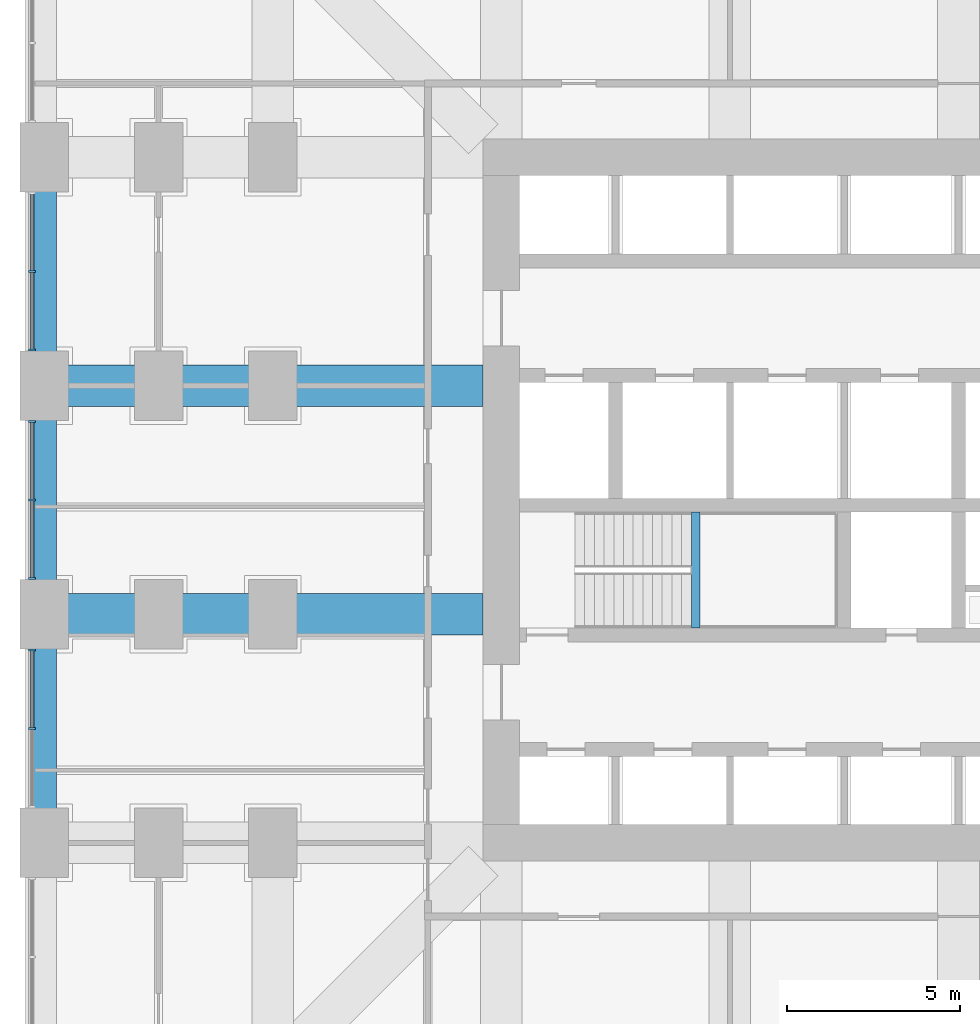
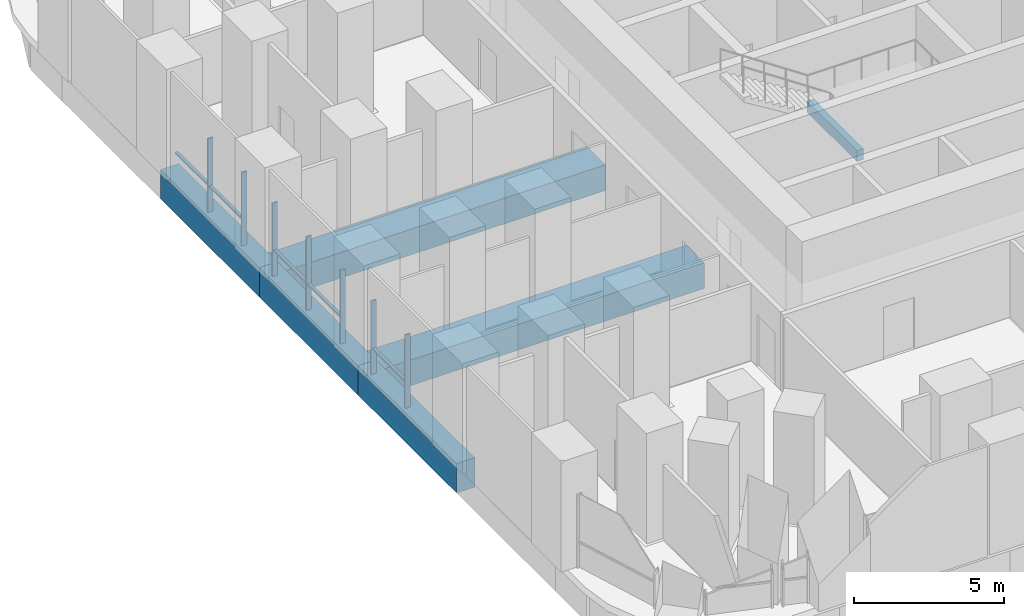
# One storey, part 3 of 17: 12 members, 6 beams, 3 elements without a shape of their own.
"""IFC4 building model written with IfcOpenShell, lengths in metres."""

import ifcopenshell
import ifcopenshell.guid

model = None  # the IFC model being written
_history = None  # IfcOwnerHistory: only IFC2X3 demands one
_inside = {}  # id of a spatial element -> (the spatial element, [elements in it])
_under = {}  # id of a project, library or spatial element -> (it, [spatial elements below it])
_declared = {}  # id of a project -> (the project, [libraries it declares])
_typed = {}  # id of a type object -> (the type object, [elements of that type])
_made_of = {}  # id of a material, layer set ... -> (it, [elements and type objects made of it])


def new_model(schema):
    """Start an empty IFC model of exactly this schema.

    Asked for "IFC4X3", IfcOpenShell would pick the latest addendum, in which some entities
    have other attributes; the version numbers below select the first issue.
    IFC2X3 requires an IfcOwnerHistory on every rooted entity: one is made here for all.
    """
    global model, _history
    if schema == "IFC4X3":
        model = ifcopenshell.file(schema_version=(4, 3, 0, 0))
    else:
        model = ifcopenshell.file(schema=schema)
    _inside.clear()
    _under.clear()
    _declared.clear()
    _typed.clear()
    _made_of.clear()
    _history = None
    if model.schema == "IFC2X3":
        org = make("IfcOrganization", Name="unknown")
        user = make(
            "IfcPersonAndOrganization",
            ThePerson=make("IfcPerson", FamilyName="unknown"),
            TheOrganization=org,
        )
        app = make(
            "IfcApplication",
            ApplicationDeveloper=org,
            Version="unknown",
            ApplicationFullName="unknown",
            ApplicationIdentifier="unknown",
        )
        _history = make(
            "IfcOwnerHistory",
            OwningUser=user,
            OwningApplication=app,
            ChangeAction="ADDED",
            CreationDate=0,
        )
    return model


def make(cls, **values):
    """One entity of the class cls with the attributes given. An attribute that is None is left unset."""
    return model.create_entity(
        cls, **{name: value for name, value in values.items() if value is not None}
    )


def rooted(cls, **values):
    """An entity with a GlobalId (a new one), such as an element, a storey or a relation."""
    return make(cls, GlobalId=ifcopenshell.guid.new(), OwnerHistory=_history, **values)


def si_unit(unit_type, name, prefix=None):
    """IfcSIUnit, for example si_unit("LENGTHUNIT", "METRE", prefix="MILLI")."""
    return make("IfcSIUnit", UnitType=unit_type, Prefix=prefix, Name=name)


def assignment(units):
    """IfcUnitAssignment: the units of a project."""
    return None if units is None else make("IfcUnitAssignment", Units=units)


def point(xyz):
    """IfcCartesianPoint."""
    return None if xyz is None else make("IfcCartesianPoint", Coordinates=xyz)


def direction(xyz):
    """IfcDirection."""
    return None if xyz is None else make("IfcDirection", DirectionRatios=xyz)


def frame(location, z_axis=None, x_axis=None):
    """IfcAxis2Placement3D, a coordinate frame: its origin and axes. An axis left out is left unset."""
    return make(
        "IfcAxis2Placement3D",
        Location=point(location),
        Axis=direction(z_axis),
        RefDirection=direction(x_axis),
    )


def frame_2d(location, x_axis=None):
    """IfcAxis2Placement2D, a coordinate frame in the plane: its origin and x axis."""
    return make(
        "IfcAxis2Placement2D", Location=point(location), RefDirection=direction(x_axis)
    )


def origin():
    """The frame at (0, 0, 0) with its axes left unset."""
    return frame((0.0, 0.0, 0.0))


def origin_2d():
    """The frame at (0, 0) in the plane with its x axis left unset."""
    return frame_2d((0.0, 0.0))


def place(relative_to, where):
    """IfcLocalPlacement: puts the frame where relative to a parent placement (None: the world)."""
    return make(
        "IfcLocalPlacement", PlacementRelTo=relative_to, RelativePlacement=where
    )


def context(
    kind, dimensions, precision=None, world=None, true_north=None, identifier=None
):
    """IfcGeometricRepresentationContext, for example the 3D "Model" context."""
    return make(
        "IfcGeometricRepresentationContext",
        ContextIdentifier=identifier,
        ContextType=kind,
        CoordinateSpaceDimension=dimensions,
        Precision=precision,
        WorldCoordinateSystem=world,
        TrueNorth=true_north,
    )


def subcontext(parent, identifier, kind, view, scale=None):
    """IfcGeometricRepresentationSubContext, for example "Body" below "Model"."""
    return make(
        "IfcGeometricRepresentationSubContext",
        ContextIdentifier=identifier,
        ContextType=kind,
        ParentContext=parent,
        TargetScale=scale,
        TargetView=view,
    )


def project(units=None, contexts=None):
    """IfcProject with its units and contexts."""
    return rooted(
        "IfcProject",
        Name="project",
        RepresentationContexts=contexts,
        UnitsInContext=assignment(units),
    )


def spatial(cls, under=None, at=None, **own):
    """A site, building, storey or space (cls), placed at a placement, below another one or the project."""
    s = rooted(cls, ObjectPlacement=at, **own)
    if under is not None:
        _under.setdefault(under.id(), (under, []))[1].append(s)
    return s


def profile(cls, at=None, kind="AREA", **sizes):
    """A parametric profile (cls). Its sizes go by their IFC names, for example OverallWidth=200.0."""
    return make(cls, ProfileType=kind, Position=at, **sizes)


def rectangle(**sizes):
    """IfcRectangleProfileDef."""
    return profile("IfcRectangleProfileDef", **sizes)


def extrude(swept, where, along, depth):
    """IfcExtrudedAreaSolid: the profile swept, set in the frame where, extruded along a direction by depth."""
    return make(
        "IfcExtrudedAreaSolid",
        SweptArea=swept,
        Position=where,
        ExtrudedDirection=direction(along),
        Depth=depth,
    )


def shape(context_of_items, identifier, shape_type, items):
    """IfcShapeRepresentation: the items that make up one representation, for example the "Body"."""
    return make(
        "IfcShapeRepresentation",
        ContextOfItems=context_of_items,
        RepresentationIdentifier=identifier,
        RepresentationType=shape_type,
        Items=items,
    )


def material(Name=None, Category=None):
    """IfcMaterial."""
    return make("IfcMaterial", Name=Name, Category=Category)


def material_profile(
    of_material, cross_section, Name=None, Category=None, Priority=None
):
    """IfcMaterialProfile: a cross section and its material."""
    return make(
        "IfcMaterialProfile",
        Name=Name,
        Material=of_material,
        Profile=cross_section,
        Priority=Priority,
        Category=Category,
    )


def profile_set(profiles, Name=None, composite=None):
    """IfcMaterialProfileSet."""
    return make(
        "IfcMaterialProfileSet",
        Name=Name,
        MaterialProfiles=profiles,
        CompositeProfile=composite,
    )


def made_of(thing, what):
    """Note that an element or type object is made of a material, layer set ...; save() writes the relation."""
    if what is not None:
        _made_of.setdefault(what.id(), (what, []))[1].append(thing)
    return thing


def type_object(cls, material=None, **own):
    """A type object (cls), such as IfcWallType, which elements share."""
    return made_of(rooted(cls, **own), material)


def element(
    cls,
    number,
    at=None,
    inside=None,
    cuts=None,
    type_object=None,
    material=None,
    context=None,
    identifier="Body",
    shape_type=None,
    held_by="IfcProductDefinitionShape",
    body=None,
    shapes=None,
    **own,
):
    """One element of the class cls, such as IfcWall. Its Tag is "e" and its number.

    at: its placement. inside: the storey or other place that contains it. cuts: it is an
    opening in that element (IfcRelVoidsElement). A single representation is given by context,
    identifier, shape_type and body (its items); several are given by shapes. held_by: the class
    of the entity that holds the representations. save() writes the other relations.
    """
    e = rooted(cls, Tag="e%d" % number, ObjectPlacement=at, **own)
    if body is not None:
        shapes = [shape(context, identifier, shape_type, body)]
    if shapes is not None:
        e.Representation = make(held_by, Representations=shapes)
    if inside is not None:
        _inside.setdefault(inside.id(), (inside, []))[1].append(e)
    if cuts is not None:
        rooted(
            "IfcRelVoidsElement", RelatingBuildingElement=cuts, RelatedOpeningElement=e
        )
    if type_object is not None:
        _typed.setdefault(type_object.id(), (type_object, []))[1].append(e)
    return made_of(e, material)


def aggregate(whole, parts):
    """IfcRelAggregates: a whole, such as a stair, and the parts it consists of."""
    return rooted("IfcRelAggregates", RelatingObject=whole, RelatedObjects=parts)


def save(model, path):
    """Write the relations noted so far, then the file.

    IfcRelAggregates (storeys below a building ...), IfcRelContainedInSpatialStructure (elements
    in a storey), IfcRelDefinesByType, IfcRelAssociatesMaterial and IfcRelDeclares: one each for
    every whole, place, type object, material and project.
    """
    for whole, parts in _under.values():
        aggregate(whole, parts)
    for where, things in _inside.values():
        rooted(
            "IfcRelContainedInSpatialStructure",
            RelatedElements=things,
            RelatingStructure=where,
        )
    for kind, things in _typed.values():
        rooted("IfcRelDefinesByType", RelatedObjects=things, RelatingType=kind)
    for what, things in _made_of.values():
        rooted("IfcRelAssociatesMaterial", RelatedObjects=things, RelatingMaterial=what)
    for by, libraries in _declared.values():
        rooted("IfcRelDeclares", RelatingContext=by, RelatedDefinitions=libraries)
    model.write(path)


model = new_model("IFC4")

# Units and contexts
model_context = context("Model", 3, precision=1e-05, world=origin(), true_north=direction((0.0, 1.0)))
body_context = subcontext(model_context, "Body", "Model", "MODEL_VIEW")
ifc_project = project(units=[si_unit("LENGTHUNIT", "METRE"), si_unit("AREAUNIT", "SQUARE_METRE"), si_unit("VOLUMEUNIT", "CUBIC_METRE"), si_unit("PLANEANGLEUNIT", "RADIAN"), si_unit("MASSUNIT", "GRAM", prefix="KILO")], contexts=[model_context])

# Site, building, storey
site_placement = place(None, origin())
site = spatial("IfcSite", under=ifc_project, at=site_placement, CompositionType="ELEMENT")
building_placement = place(site_placement, origin())
building = spatial("IfcBuilding", under=site, at=building_placement, Name="Cobogo Forest Laboratory Tower", CompositionType="ELEMENT")
storey_placement = place(building_placement, frame((0.0, 0.0, 12.60009765625)))
storey = spatial("IfcBuildingStorey", under=building, at=storey_placement, Name="L02", CompositionType="ELEMENT", Elevation=12.60009765625)

# Beams
ifc_material_1 = material(Name="Concrete HA-40 (C40/50)", Category="concrete")
ifc_material_profile_1 = material_profile(ifc_material_1, rectangle(XDim=0.25, YDim=0.449951171875, at=origin_2d()), Name="RC 250x450")
ifc_profile_set_1 = profile_set([ifc_material_profile_1], Name="Concrete HA-40 (C40/50)")
beam_type_1 = type_object("IfcBeamType", Name="LB1 landing beam 250x450", PredefinedType="BEAM", material=ifc_profile_set_1)
beam_1_placement = place(storey_placement, frame((18.81005859375, 19.39990234375, 1.824951171875), z_axis=(0.0, 1.0, 0.0), x_axis=(-1.0, 0.0, 0.0)))
element("IfcBeam", 1, at=beam_1_placement, inside=storey, type_object=beam_type_1, Name="Landing beam ST1 L02", PredefinedType="BEAM", context=body_context, shape_type="SweptSolid", body=[
    extrude(rectangle(XDim=0.25, YDim=0.449951171875, at=origin_2d()), origin(), (0.0, 0.0, 1.0), 3.35009765625),
])
ifc_material_profile_2 = material_profile(ifc_material_1, rectangle(XDim=1.199951171875, YDim=1.050048828125, at=origin_2d()), Name="RC 1200x1050")
ifc_profile_set_2 = profile_set([ifc_material_profile_2], Name="Concrete HA-40 (C40/50)")
beam_type_2 = type_object("IfcBeamType", Name="Laboratory floor wide beam 1200x1050", PredefinedType="BEAM", material=ifc_profile_set_2)
for number, where, z_axis, x_axis, name in (
    (2, (12.675048828125, 19.800048828125, -0.8251953125), (-1.0, 0.0, 0.0), (0.0, -1.0, 0.0), "RB1 R-D-W L02"),
    (3, (12.675048828125, 26.39990234375, -0.8251953125), (-1.0, 0.0, 0.0), (0.0, -1.0, 0.0), "RB1 R-E-W L02"),
):
    element("IfcBeam", number, at=place(storey_placement, frame(where, z_axis=z_axis, x_axis=x_axis)), inside=storey, type_object=beam_type_2, Name=name, PredefinedType="BEAM", context=body_context, shape_type="SweptSolid", body=[
        extrude(rectangle(XDim=1.199951171875, YDim=1.050048828125, at=origin_2d()), origin(), (0.0, 0.0, 1.0), 12.675048828125),
    ])

# Curtain wall, members
ifc_material_2 = material(Name="Aluminium curtain wall", Category="aluminium")
curtain_wall_type = type_object("IfcCurtainWallType", Name="CW-K stick curtain wall, podium laboratories", PredefinedType="USERDEFINED", material=ifc_material_2)
curtain_wall_1_placement = place(storey_placement, origin())
curtain_wall_1 = element("IfcCurtainWall", 4, at=curtain_wall_1_placement, inside=storey, type_object=curtain_wall_type, Name="Curtain wall 28 L02", ObjectType="STICK CURTAIN WALL", PredefinedType="USERDEFINED")
ifc_material_3 = material(Name="Aluminium mullion", Category="aluminium")
ifc_material_profile_3 = material_profile(ifc_material_3, rectangle(XDim=0.06005859375, YDim=0.199951171875, at=origin_2d()), Name="AL 60x200")
ifc_profile_set_3 = profile_set([ifc_material_profile_3], Name="Aluminium mullion")
member_type_1 = type_object("IfcMemberType", Name="MU-2 aluminium mullion 60x200", PredefinedType="MULLION", material=ifc_profile_set_3)
member_1_placement = place(storey_placement, frame((-0.35009765625, 29.699951171875, 0.0), z_axis=(0.0, 0.0, 1.0), x_axis=(0.0, -1.0, 0.0)))
member_1 = element("IfcMember", 5, at=member_1_placement, type_object=member_type_1, Name="CW-K mullion 2", PredefinedType="MULLION", context=body_context, shape_type="SweptSolid", body=[
    extrude(rectangle(XDim=0.06005859375, YDim=0.199951171875, at=origin_2d()), origin(), (0.0, 0.0, 1.0), 3.0),
])
member_2_placement = place(storey_placement, frame((-0.35009765625, 27.429931640625, 0.0), z_axis=(0.0, 0.0, 1.0), x_axis=(0.0, -1.0, 0.0)))
member_2 = element("IfcMember", 6, at=member_2_placement, type_object=member_type_1, Name="CW-K mullion 3", PredefinedType="MULLION", context=body_context, shape_type="SweptSolid", body=[
    extrude(rectangle(XDim=0.06005859375, YDim=0.199951171875, at=origin_2d()), origin(), (0.0, 0.0, 1.0), 3.0),
])

curtain_wall_2_placement = place(storey_placement, origin())
curtain_wall_2 = element("IfcCurtainWall", 7, at=curtain_wall_2_placement, inside=storey, type_object=curtain_wall_type, Name="Curtain wall 29 L02", ObjectType="STICK CURTAIN WALL", PredefinedType="USERDEFINED")
member_3_placement = place(storey_placement, frame((-0.35009765625, 25.3701171875, 0.0), z_axis=(0.0, 0.0, 1.0), x_axis=(0.0, -1.0, 0.0)))
member_3 = element("IfcMember", 8, at=member_3_placement, type_object=member_type_1, Name="CW-K mullion 1", PredefinedType="MULLION", context=body_context, shape_type="SweptSolid", body=[
    extrude(rectangle(XDim=0.06005859375, YDim=0.199951171875, at=origin_2d()), origin(), (0.0, 0.0, 1.0), 3.0),
])
member_4_placement = place(storey_placement, frame((-0.35009765625, 23.10009765625, 0.0), z_axis=(0.0, 0.0, 1.0), x_axis=(0.0, -1.0, 0.0)))
member_4 = element("IfcMember", 9, at=member_4_placement, type_object=member_type_1, Name="CW-K mullion 2", PredefinedType="MULLION", context=body_context, shape_type="SweptSolid", body=[
    extrude(rectangle(XDim=0.06005859375, YDim=0.199951171875, at=origin_2d()), origin(), (0.0, 0.0, 1.0), 3.0),
])
member_5_placement = place(storey_placement, frame((-0.35009765625, 20.830078125, 0.0), z_axis=(0.0, 0.0, 1.0), x_axis=(0.0, -1.0, 0.0)))
member_5 = element("IfcMember", 10, at=member_5_placement, type_object=member_type_1, Name="CW-K mullion 3", PredefinedType="MULLION", context=body_context, shape_type="SweptSolid", body=[
    extrude(rectangle(XDim=0.06005859375, YDim=0.199951171875, at=origin_2d()), origin(), (0.0, 0.0, 1.0), 3.0),
])

curtain_wall_3_placement = place(storey_placement, origin())
curtain_wall_3 = element("IfcCurtainWall", 11, at=curtain_wall_3_placement, inside=storey, type_object=curtain_wall_type, Name="Curtain wall 30 L02", ObjectType="STICK CURTAIN WALL", PredefinedType="USERDEFINED")
member_6_placement = place(storey_placement, frame((-0.35009765625, 18.77001953125, 0.0), z_axis=(0.0, 0.0, 1.0), x_axis=(0.0, -1.0, 0.0)))
member_6 = element("IfcMember", 12, at=member_6_placement, type_object=member_type_1, Name="CW-K mullion 1", PredefinedType="MULLION", context=body_context, shape_type="SweptSolid", body=[
    extrude(rectangle(XDim=0.06005859375, YDim=0.199951171875, at=origin_2d()), origin(), (0.0, 0.0, 1.0), 3.0),
])
member_7_placement = place(storey_placement, frame((-0.35009765625, 16.5, 0.0), z_axis=(0.0, 0.0, 1.0), x_axis=(0.0, -1.0, 0.0)))
member_7 = element("IfcMember", 13, at=member_7_placement, type_object=member_type_1, Name="CW-K mullion 2", PredefinedType="MULLION", context=body_context, shape_type="SweptSolid", body=[
    extrude(rectangle(XDim=0.06005859375, YDim=0.199951171875, at=origin_2d()), origin(), (0.0, 0.0, 1.0), 3.0),
])

# Beams
ifc_material_profile_4 = material_profile(ifc_material_1, rectangle(XDim=0.699951171875, YDim=1.199951171875, at=origin_2d()), Name="RC 700x1200")
ifc_profile_set_4 = profile_set([ifc_material_profile_4], Name="Concrete HA-40 (C40/50)")
beam_type_3 = type_object("IfcBeamType", Name="Perimeter edge beam 700x1200", PredefinedType="BEAM", material=ifc_profile_set_4)
beam_2_placement = place(storey_placement, frame((0.0, 13.199951171875, -0.900146484375), z_axis=(0.0, 1.0, 0.0), x_axis=(-1.0, 0.0, 0.0)))
element("IfcBeam", 14, at=beam_2_placement, inside=storey, type_object=beam_type_3, Name="EB1 E-W2 L02", PredefinedType="BEAM", context=body_context, shape_type="SweptSolid", body=[
    extrude(rectangle(XDim=0.699951171875, YDim=1.199951171875, at=origin_2d()), origin(), (0.0, 0.0, 1.0), 6.60009765625),
])
beam_3_placement = place(storey_placement, frame((0.0, 19.800048828125, -0.900146484375), z_axis=(0.0, 1.0, 0.0), x_axis=(-1.0, 0.0, 0.0)))
element("IfcBeam", 15, at=beam_3_placement, inside=storey, type_object=beam_type_3, Name="EB1 E-W3 L02", PredefinedType="BEAM", context=body_context, shape_type="SweptSolid", body=[
    extrude(rectangle(XDim=0.699951171875, YDim=1.199951171875, at=origin_2d()), origin(), (0.0, 0.0, 1.0), 6.599853515625),
])
beam_4_placement = place(storey_placement, frame((0.0, 26.39990234375, -0.900146484375), z_axis=(0.0, 1.0, 0.0), x_axis=(-1.0, 0.0, 0.0)))
element("IfcBeam", 16, at=beam_4_placement, inside=storey, type_object=beam_type_3, Name="EB1 E-W4 L02", PredefinedType="BEAM", context=body_context, shape_type="SweptSolid", body=[
    extrude(rectangle(XDim=0.699951171875, YDim=1.199951171875, at=origin_2d()), origin(), (0.0, 0.0, 1.0), 6.60009765625),
])

# Member
ifc_material_4 = material(Name="Aluminium transom", Category="aluminium")
ifc_material_profile_5 = material_profile(ifc_material_4, rectangle(XDim=0.1201171875, YDim=0.06005859375, at=origin_2d()), Name="AL 60x120")
ifc_profile_set_5 = profile_set([ifc_material_profile_5], Name="Aluminium transom")
member_type_2 = type_object("IfcMemberType", Name="TR-1 aluminium transom 60x120", PredefinedType="USERDEFINED", material=ifc_profile_set_5)
member_8_placement = place(storey_placement, frame((-0.35009765625, 31.93994140625, 1.0498046875), z_axis=(0.0, -1.0, 0.0), x_axis=(1.0, 0.0, 0.0)))
member_8 = element("IfcMember", 17, at=member_8_placement, type_object=member_type_2, Name="CW-K transom 1.1", ObjectType="TRANSOM", PredefinedType="USERDEFINED", context=body_context, shape_type="SweptSolid", body=[
    extrude(rectangle(XDim=0.1201171875, YDim=0.06005859375, at=origin_2d()), origin(), (0.0, 0.0, 1.0), 2.2099609375),
])

member_9_placement = place(storey_placement, frame((-0.35009765625, 29.669921875, 1.0498046875), z_axis=(0.0, -1.0, 0.0), x_axis=(1.0, 0.0, 0.0)))
member_9 = element("IfcMember", 18, at=member_9_placement, type_object=member_type_2, Name="CW-K transom 2.1", ObjectType="TRANSOM", PredefinedType="USERDEFINED", context=body_context, shape_type="SweptSolid", body=[
    extrude(rectangle(XDim=0.1201171875, YDim=0.06005859375, at=origin_2d()), origin(), (0.0, 0.0, 1.0), 2.2099609375),
])

aggregate(curtain_wall_1, [member_1, member_2, member_8, member_9])

member_10_placement = place(storey_placement, frame((-0.35009765625, 25.340087890625, 1.0498046875), z_axis=(0.0, -1.0, 0.0), x_axis=(1.0, 0.0, 0.0)))
member_10 = element("IfcMember", 19, at=member_10_placement, type_object=member_type_2, Name="CW-K transom 1.1", ObjectType="TRANSOM", PredefinedType="USERDEFINED", context=body_context, shape_type="SweptSolid", body=[
    extrude(rectangle(XDim=0.1201171875, YDim=0.06005859375, at=origin_2d()), origin(), (0.0, 0.0, 1.0), 2.210205078125),
])

member_11_placement = place(storey_placement, frame((-0.35009765625, 23.070068359375, 1.0498046875), z_axis=(0.0, -1.0, 0.0), x_axis=(1.0, 0.0, 0.0)))
member_11 = element("IfcMember", 20, at=member_11_placement, type_object=member_type_2, Name="CW-K transom 2.1", ObjectType="TRANSOM", PredefinedType="USERDEFINED", context=body_context, shape_type="SweptSolid", body=[
    extrude(rectangle(XDim=0.1201171875, YDim=0.06005859375, at=origin_2d()), origin(), (0.0, 0.0, 1.0), 2.2099609375),
])

aggregate(curtain_wall_2, [member_3, member_4, member_5, member_10, member_11])

member_12_placement = place(storey_placement, frame((-0.35009765625, 18.739990234375, 1.0498046875), z_axis=(0.0, -1.0, 0.0), x_axis=(1.0, 0.0, 0.0)))
member_12 = element("IfcMember", 21, at=member_12_placement, type_object=member_type_2, Name="CW-K transom 1.1", ObjectType="TRANSOM", PredefinedType="USERDEFINED", context=body_context, shape_type="SweptSolid", body=[
    extrude(rectangle(XDim=0.1201171875, YDim=0.06005859375, at=origin_2d()), origin(), (0.0, 0.0, 1.0), 2.2099609375),
])

aggregate(curtain_wall_3, [member_6, member_7, member_12])

save(model, "model.ifc")
